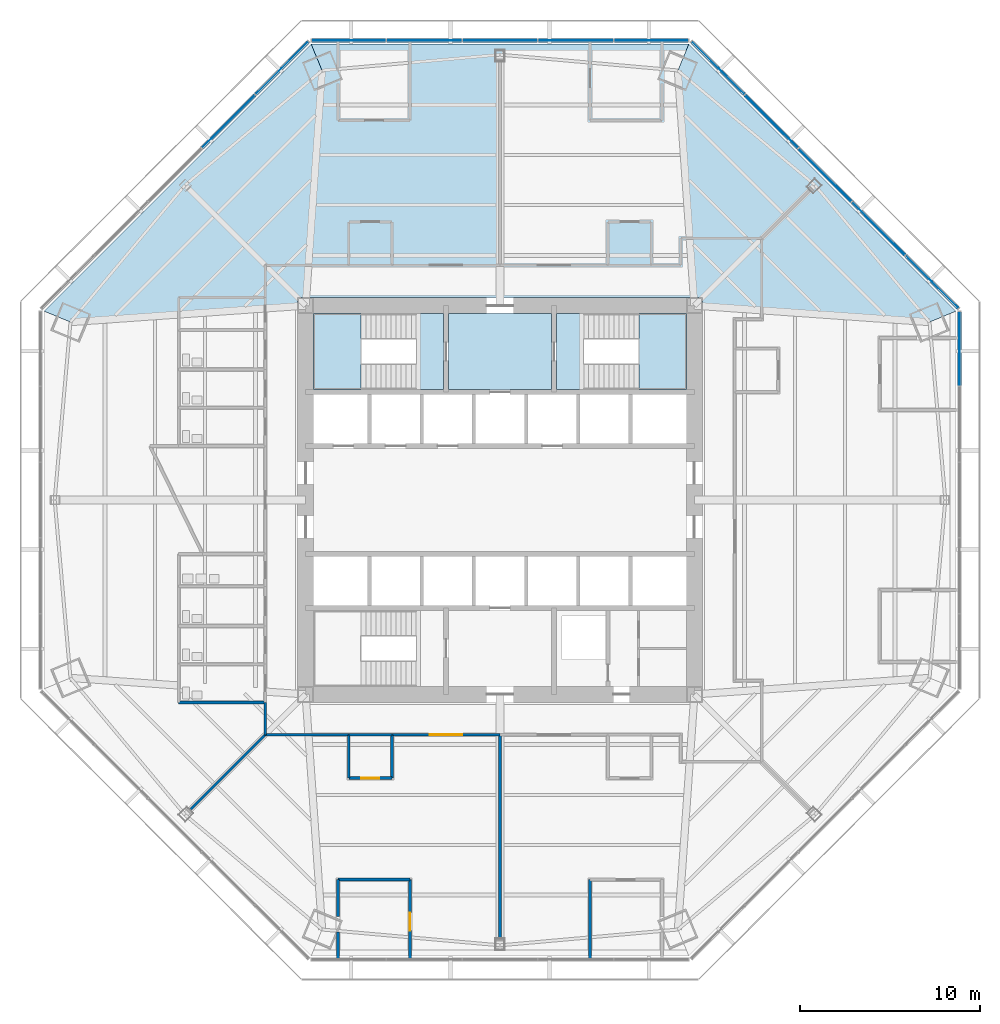
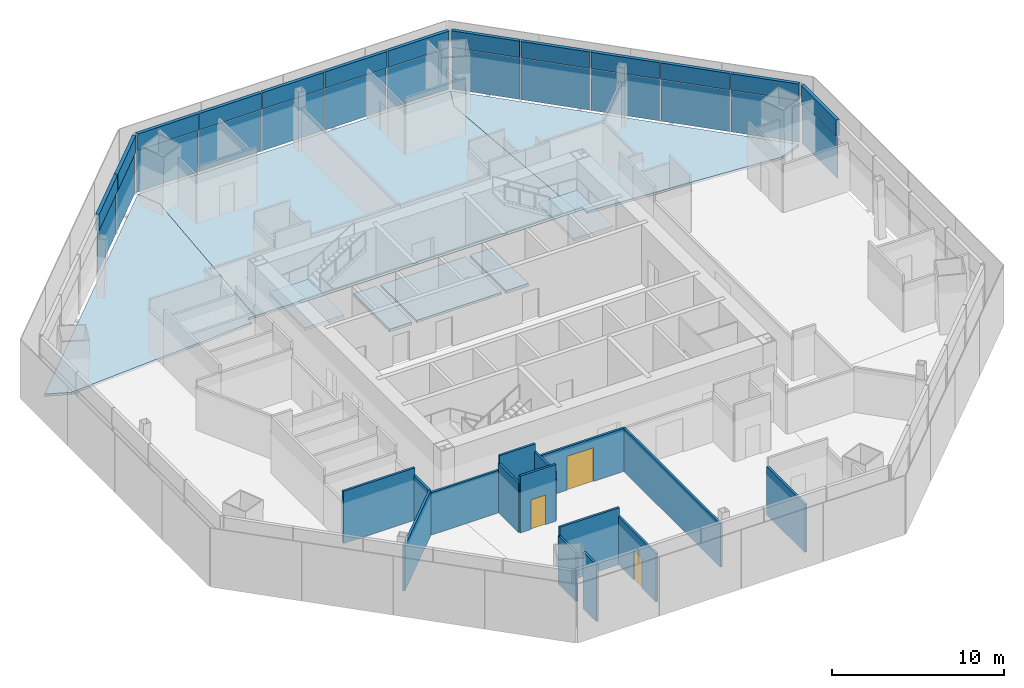
# One storey, part 9 of 17: 26 plates, 15 walls, 8 slabs, 3 doors, 3 openings, 6 elements without a shape of their own.
"""IFC4 building model written with IfcOpenShell, lengths in metres."""

from ifc_helpers import new_model, si_unit, direction, frame, frame_2d, origin, origin_2d, place, context, subcontext, project, spatial, polyline, rectangle, outline, extrude, source, transform, mapped, material, layer, layer_set, type_object, type_shapes, element, fill, aggregate, save


model = new_model("IFC4")

# Units and contexts
model_context = context("Model", 3, precision=1e-05, world=origin(), true_north=direction((0.0, 1.0)))
body_context = subcontext(model_context, "Body", "Model", "MODEL_VIEW")
ifc_project = project(units=[si_unit("LENGTHUNIT", "METRE"), si_unit("AREAUNIT", "SQUARE_METRE"), si_unit("VOLUMEUNIT", "CUBIC_METRE"), si_unit("PLANEANGLEUNIT", "RADIAN"), si_unit("MASSUNIT", "GRAM", prefix="KILO")], contexts=[model_context])

# Site, building, storey
site_placement = place(None, origin())
site = spatial("IfcSite", under=ifc_project, at=site_placement, CompositionType="ELEMENT")
building_placement = place(site_placement, origin())
building = spatial("IfcBuilding", under=site, at=building_placement, Name="Mashrafa Tower", CompositionType="ELEMENT")
storey_placement = place(building_placement, frame((0.0, 0.0, 87.60009765625)))
storey = spatial("IfcBuildingStorey", under=building, at=storey_placement, Name="L19", CompositionType="ELEMENT", Elevation=87.60009765625)

# Slabs
ifc_material_1 = material(Name="Concrete C35/45", Category="concrete")
ifc_layer_1 = layer(ifc_material_1, 0.1650390625)
ifc_layer_set_1 = layer_set([ifc_layer_1], Name="Floor slab 165")
slab_type_1 = type_object("IfcSlabType", Name="Floor slab 165", PredefinedType="FLOOR", material=ifc_layer_set_1)
slab_1_placement = place(storey_placement, frame((0.0, 0.0, -0.1650390625)))
element("IfcSlab", 1, at=slab_1_placement, inside=storey, type_object=slab_type_1, Name="Floor slab L19 north-east bay", PredefinedType="FLOOR", context=body_context, shape_type="SweptSolid", body=[
    extrude(outline(polyline([(10.494873046875, 25.336669921875), (25.336669921875, 10.494873046875), (25.336669921875, 10.494873046875), (23.863037109375, 9.884521484375), (11.25, 10.7685546875), (11.25, 11.25), (10.7685546875, 11.25), (9.884521484375, 23.863037109375), (10.494873046875, 25.336669921875), (10.494873046875, 25.336669921875)])), origin(), (0.0, 0.0, 1.0), 0.1650390625),
])
slab_2_placement = place(storey_placement, frame((0.0, 0.0, -0.1650390625)))
element("IfcSlab", 2, at=slab_2_placement, inside=storey, type_object=slab_type_1, Name="Floor slab L19 north bay", PredefinedType="FLOOR", context=body_context, shape_type="SweptSolid", body=[
    extrude(outline(polyline([(10.494873046875, 25.336669921875), (9.884521484375, 23.863037109375), (10.7685546875, 11.25), (-10.7685546875, 11.25), (-9.884521484375, 23.863037109375), (-10.494873046875, 25.336669921875), (10.494873046875, 25.336669921875)])), origin(), (0.0, 0.0, 1.0), 0.1650390625),
])
slab_3_placement = place(storey_placement, frame((0.0, 0.0, -0.1650390625)))
element("IfcSlab", 3, at=slab_3_placement, inside=storey, type_object=slab_type_1, Name="Floor slab L19 north-west bay", PredefinedType="FLOOR", context=body_context, shape_type="SweptSolid", body=[
    extrude(outline(polyline([(-25.336669921875, 10.494873046875), (-10.494873046875, 25.336669921875), (-10.494873046875, 25.336669921875), (-9.884521484375, 23.863037109375), (-10.7685546875, 11.25), (-11.25, 11.25), (-11.25, 10.7685546875), (-23.863037109375, 9.884521484375), (-25.336669921875, 10.494873046875), (-25.336669921875, 10.494873046875)])), origin(), (0.0, 0.0, 1.0), 0.1650390625),
])
slab_4_placement = place(storey_placement, frame((0.0, 0.0, -0.1650390625)))
element("IfcSlab", 4, at=slab_4_placement, inside=storey, type_object=slab_type_1, Name="Core floor fire-fighting lobby north L19", PredefinedType="FLOOR", context=body_context, shape_type="SweptSolid", body=[
    extrude(outline(polyline([(-2.85009765625, 10.35009765625), (2.85009765625, 10.35009765625), (2.85009765625, 6.14990234375), (-2.85009765625, 6.14990234375), (-2.85009765625, 10.35009765625)])), origin(), (0.0, 0.0, 1.0), 0.1650390625),
])

# Stair, slabs
ifc_material_2 = material(Name="Exit stair 1400")
stair_type = type_object("IfcStairType", Name="Exit stair 1400", PredefinedType="HALF_TURN_STAIR", material=ifc_material_2)
stair_1_placement = place(storey_placement, origin())
stair_1 = element("IfcStair", 5, at=stair_1_placement, inside=storey, type_object=stair_type, Name="Stair S1 L19", PredefinedType="HALF_TURN_STAIR")
ifc_material_3 = material(Name="Concrete C32/40", Category="concrete")
ifc_layer_2 = layer(ifc_material_3, 0.199951171875)
ifc_layer_set_2 = layer_set([ifc_layer_2], Name="Stair landing 200")
slab_type_2 = type_object("IfcSlabType", Name="Stair landing 200", PredefinedType="LANDING", material=ifc_layer_set_2)
slab_5_placement = place(storey_placement, frame((0.0, 0.0, -0.2001953125)))
slab_5 = element("IfcSlab", 6, at=slab_5_placement, type_object=slab_type_2, Name="S1 landing 1", PredefinedType="LANDING", context=body_context, shape_type="SweptSolid", body=[
    extrude(outline(polyline([(-4.659912109375, 6.14990234375), (-3.14990234375, 6.14990234375), (-3.14990234375, 10.35009765625), (-4.659912109375, 10.35009765625), (-4.659912109375, 6.14990234375)])), origin(), (0.0, 0.0, 1.0), 0.2001953125),
])
slab_6_placement = place(storey_placement, frame((0.0, 0.0, 1.89990234375)))
slab_6 = element("IfcSlab", 7, at=slab_6_placement, type_object=slab_type_2, Name="S1 landing 2", PredefinedType="LANDING", context=body_context, shape_type="SweptSolid", body=[
    extrude(outline(polyline([(-10.35009765625, 6.14990234375), (-7.719970703125, 6.14990234375), (-7.719970703125, 10.35009765625), (-10.35009765625, 10.35009765625), (-10.35009765625, 6.14990234375)])), origin(), (0.0, 0.0, 1.0), 0.199951171875),
])
aggregate(stair_1, [slab_5, slab_6])

stair_2_placement = place(storey_placement, origin())
stair_2 = element("IfcStair", 8, at=stair_2_placement, inside=storey, type_object=stair_type, Name="Stair S2 L19", PredefinedType="HALF_TURN_STAIR")
slab_7_placement = place(storey_placement, frame((0.0, 0.0, -0.2001953125)))
slab_7 = element("IfcSlab", 9, at=slab_7_placement, type_object=slab_type_2, Name="S2 landing 1", PredefinedType="LANDING", context=body_context, shape_type="SweptSolid", body=[
    extrude(outline(polyline([(3.14990234375, 6.14990234375), (4.659912109375, 6.14990234375), (4.659912109375, 10.35009765625), (3.14990234375, 10.35009765625), (3.14990234375, 6.14990234375)])), origin(), (0.0, 0.0, 1.0), 0.2001953125),
])
slab_8_placement = place(storey_placement, frame((0.0, 0.0, 1.89990234375)))
slab_8 = element("IfcSlab", 10, at=slab_8_placement, type_object=slab_type_2, Name="S2 landing 2", PredefinedType="LANDING", context=body_context, shape_type="SweptSolid", body=[
    extrude(outline(polyline([(7.719970703125, 6.14990234375), (10.35009765625, 6.14990234375), (10.35009765625, 10.35009765625), (7.719970703125, 10.35009765625), (7.719970703125, 6.14990234375)])), origin(), (0.0, 0.0, 1.0), 0.199951171875),
])
aggregate(stair_2, [slab_7, slab_8])

# Curtain wall, plate
ifc_material_4 = material(Name="Unitised aluminium curtain wall", Category="aluminium")
curtain_wall_type = type_object("IfcCurtainWallType", Name="Office curtain wall, zone 1 CW-A 200 deep", PredefinedType="NOTDEFINED", material=ifc_material_4)
curtain_wall_1_placement = place(storey_placement, origin())
curtain_wall_1 = element("IfcCurtainWall", 11, at=curtain_wall_1_placement, inside=storey, type_object=curtain_wall_type, Name="Office curtain wall, zone 1 L19 east", PredefinedType="NOTDEFINED")
ifc_material_5 = material(Name="Insulated double glazing, low-e, neutral", Category="glass")
ifc_layer_3 = layer(ifc_material_5, 0.028076171875)
ifc_layer_set_3 = layer_set([ifc_layer_3], Name="Vision panel CW-A 28")
plate_type_1 = type_object("IfcPlateType", Name="Vision panel CW-A 28", PredefinedType="CURTAIN_PANEL", material=ifc_layer_set_3)
shared_shape_1 = source(origin(), body_context, "Body", "SweptSolid", [
    extrude(rectangle(XDim=4.113037109375, YDim=0.028076171875, at=origin_2d()), origin(), (0.0, 0.0, 1.0), 2.9599609375),
])
plate_1_placement = place(storey_placement, frame((25.53662109375, 8.40478515625, 0.0), z_axis=(0.0, 0.0, 1.0), x_axis=(0.0, 1.0, 0.0)))
plate_1 = element("IfcPlate", 12, at=plate_1_placement, type_object=plate_type_1, Name="CW-A vision panel 5", PredefinedType="CURTAIN_PANEL", context=body_context, shape_type="MappedRepresentation", body=[
    mapped(shared_shape_1, transform((0.0, 0.0, 0.0))),
])

# Curtain wall, plates
curtain_wall_2_placement = place(storey_placement, origin())
curtain_wall_2 = element("IfcCurtainWall", 13, at=curtain_wall_2_placement, inside=storey, type_object=curtain_wall_type, Name="Office curtain wall, zone 1 L19 north-east", PredefinedType="NOTDEFINED")
plate_2_placement = place(storey_placement, frame((24.000244140625, 12.114013671875, 0.0), z_axis=(0.0, 0.0, 1.0), x_axis=(-0.707106781187, 0.707106781187, 0.0)))
plate_2 = element("IfcPlate", 14, at=plate_2_placement, type_object=plate_type_1, Name="CW-A vision panel 1", PredefinedType="CURTAIN_PANEL", context=body_context, shape_type="MappedRepresentation", body=[
    mapped(shared_shape_1, transform((0.0, 0.0, 0.0))),
])
plate_3_placement = place(storey_placement, frame((12.114013671875, 24.000244140625, 0.0), z_axis=(0.0, 0.0, 1.0), x_axis=(-0.707106781187, 0.707106781187, 0.0)))
plate_3 = element("IfcPlate", 15, at=plate_3_placement, type_object=plate_type_1, Name="CW-A vision panel 5", PredefinedType="CURTAIN_PANEL", context=body_context, shape_type="MappedRepresentation", body=[
    mapped(shared_shape_1, transform((0.0, 0.0, 0.0))),
])

curtain_wall_3_placement = place(storey_placement, origin())
curtain_wall_3 = element("IfcCurtainWall", 16, at=curtain_wall_3_placement, inside=storey, type_object=curtain_wall_type, Name="Office curtain wall, zone 1 L19 north", PredefinedType="NOTDEFINED")
plate_4_placement = place(storey_placement, frame((8.40478515625, 25.53662109375, 0.0), z_axis=(0.0, 0.0, 1.0), x_axis=(-1.0, 0.0, 0.0)))
plate_4 = element("IfcPlate", 17, at=plate_4_placement, type_object=plate_type_1, Name="CW-A vision panel 1", PredefinedType="CURTAIN_PANEL", context=body_context, shape_type="MappedRepresentation", body=[
    mapped(shared_shape_1, transform((0.0, 0.0, 0.0))),
])
plate_5_placement = place(storey_placement, frame((-8.40478515625, 25.53662109375, 0.0), z_axis=(0.0, 0.0, 1.0), x_axis=(-1.0, 0.0, 0.0)))
plate_5 = element("IfcPlate", 18, at=plate_5_placement, type_object=plate_type_1, Name="CW-A vision panel 5", PredefinedType="CURTAIN_PANEL", context=body_context, shape_type="MappedRepresentation", body=[
    mapped(shared_shape_1, transform((0.0, 0.0, 0.0))),
])

# Curtain wall, plate
curtain_wall_4_placement = place(storey_placement, origin())
curtain_wall_4 = element("IfcCurtainWall", 19, at=curtain_wall_4_placement, inside=storey, type_object=curtain_wall_type, Name="Office curtain wall, zone 1 L19 north-west", PredefinedType="NOTDEFINED")
plate_6_placement = place(storey_placement, frame((-12.114013671875, 24.000244140625, 0.0), z_axis=(0.0, 0.0, 1.0), x_axis=(-0.707106781187, -0.707106781187, 0.0)))
plate_6 = element("IfcPlate", 20, at=plate_6_placement, type_object=plate_type_1, Name="CW-A vision panel 1", PredefinedType="CURTAIN_PANEL", context=body_context, shape_type="MappedRepresentation", body=[
    mapped(shared_shape_1, transform((0.0, 0.0, 0.0))),
])

# Plate
ifc_material_6 = material(Name="Insulated aluminium spandrel panel", Category="aluminium")
ifc_layer_4 = layer(ifc_material_6, 0.219970703125)
ifc_layer_set_4 = layer_set([ifc_layer_4], Name="Spandrel panel CW-A 220")
plate_type_2 = type_object("IfcPlateType", Name="Spandrel panel CW-A 220", PredefinedType="CURTAIN_PANEL", material=ifc_layer_set_4)
shared_shape_2 = source(origin(), body_context, "Body", "SweptSolid", [
    extrude(rectangle(XDim=4.113037109375, YDim=0.219970703125, at=origin_2d()), origin(), (0.0, 0.0, 1.0), 1.159912109375),
])
plate_7_placement = place(storey_placement, frame((25.53662109375, 8.40478515625, 3.0400390625), z_axis=(0.0, 0.0, 1.0), x_axis=(0.0, 1.0, 0.0)))
plate_7 = element("IfcPlate", 21, at=plate_7_placement, type_object=plate_type_2, Name="CW-A spandrel panel 5", PredefinedType="CURTAIN_PANEL", context=body_context, shape_type="MappedRepresentation", body=[
    mapped(shared_shape_2, transform((0.0, 0.0, 0.0))),
])

aggregate(curtain_wall_1, [plate_1, plate_7])

plate_8_placement = place(storey_placement, frame((24.000244140625, 12.114013671875, 3.0400390625), z_axis=(0.0, 0.0, 1.0), x_axis=(-0.707106781187, 0.707106781187, 0.0)))
plate_8 = element("IfcPlate", 22, at=plate_8_placement, type_object=plate_type_2, Name="CW-A spandrel panel 1", PredefinedType="CURTAIN_PANEL", context=body_context, shape_type="MappedRepresentation", body=[
    mapped(shared_shape_2, transform((0.0, 0.0, 0.0))),
])

plate_9_placement = place(storey_placement, frame((12.114013671875, 24.000244140625, 3.0400390625), z_axis=(0.0, 0.0, 1.0), x_axis=(-0.707106781187, 0.707106781187, 0.0)))
plate_9 = element("IfcPlate", 23, at=plate_9_placement, type_object=plate_type_2, Name="CW-A spandrel panel 5", PredefinedType="CURTAIN_PANEL", context=body_context, shape_type="MappedRepresentation", body=[
    mapped(shared_shape_2, transform((0.0, 0.0, 0.0))),
])

plate_10_placement = place(storey_placement, frame((8.40478515625, 25.53662109375, 3.0400390625), z_axis=(0.0, 0.0, 1.0), x_axis=(-1.0, 0.0, 0.0)))
plate_10 = element("IfcPlate", 24, at=plate_10_placement, type_object=plate_type_2, Name="CW-A spandrel panel 1", PredefinedType="CURTAIN_PANEL", context=body_context, shape_type="MappedRepresentation", body=[
    mapped(shared_shape_2, transform((0.0, 0.0, 0.0))),
])

plate_11_placement = place(storey_placement, frame((-8.40478515625, 25.53662109375, 3.0400390625), z_axis=(0.0, 0.0, 1.0), x_axis=(-1.0, 0.0, 0.0)))
plate_11 = element("IfcPlate", 25, at=plate_11_placement, type_object=plate_type_2, Name="CW-A spandrel panel 5", PredefinedType="CURTAIN_PANEL", context=body_context, shape_type="MappedRepresentation", body=[
    mapped(shared_shape_2, transform((0.0, 0.0, 0.0))),
])

plate_12_placement = place(storey_placement, frame((-12.114013671875, 24.000244140625, 3.0400390625), z_axis=(0.0, 0.0, 1.0), x_axis=(-0.707106781187, -0.707106781187, 0.0)))
plate_12 = element("IfcPlate", 26, at=plate_12_placement, type_object=plate_type_2, Name="CW-A spandrel panel 1", PredefinedType="CURTAIN_PANEL", context=body_context, shape_type="MappedRepresentation", body=[
    mapped(shared_shape_2, transform((0.0, 0.0, 0.0))),
])

shared_shape_3 = source(origin(), body_context, "Body", "SweptSolid", [
    extrude(rectangle(XDim=4.1455078125, YDim=0.028076171875, at=origin_2d()), origin(), (0.0, 0.0, 1.0), 2.9599609375),
])
type_shapes(plate_type_1, [shared_shape_1, shared_shape_3])
plate_13_placement = place(storey_placement, frame((21.034423828125, 15.079833984375, 0.0), z_axis=(0.0, 0.0, 1.0), x_axis=(-0.707106781187, 0.707106781187, 0.0)))
plate_13 = element("IfcPlate", 27, at=plate_13_placement, type_object=plate_type_1, Name="CW-A vision panel 2", PredefinedType="CURTAIN_PANEL", context=body_context, shape_type="MappedRepresentation", body=[
    mapped(shared_shape_3, transform((0.0, 0.0, 0.0))),
])

plate_14_placement = place(storey_placement, frame((18.05712890625, 18.05712890625, 0.0), z_axis=(0.0, 0.0, 1.0), x_axis=(-0.707106781187, 0.707106781187, 0.0)))
plate_14 = element("IfcPlate", 28, at=plate_14_placement, type_object=plate_type_1, Name="CW-A vision panel 3", PredefinedType="CURTAIN_PANEL", context=body_context, shape_type="MappedRepresentation", body=[
    mapped(shared_shape_3, transform((0.0, 0.0, 0.0))),
])

plate_15_placement = place(storey_placement, frame((15.079833984375, 21.034423828125, 0.0), z_axis=(0.0, 0.0, 1.0), x_axis=(-0.707106781187, 0.707106781187, 0.0)))
plate_15 = element("IfcPlate", 29, at=plate_15_placement, type_object=plate_type_1, Name="CW-A vision panel 4", PredefinedType="CURTAIN_PANEL", context=body_context, shape_type="MappedRepresentation", body=[
    mapped(shared_shape_3, transform((0.0, 0.0, 0.0))),
])

plate_16_placement = place(storey_placement, frame((4.21044921875, 25.53662109375, 0.0), z_axis=(0.0, 0.0, 1.0), x_axis=(-1.0, 0.0, 0.0)))
plate_16 = element("IfcPlate", 30, at=plate_16_placement, type_object=plate_type_1, Name="CW-A vision panel 2", PredefinedType="CURTAIN_PANEL", context=body_context, shape_type="MappedRepresentation", body=[
    mapped(shared_shape_3, transform((0.0, 0.0, 0.0))),
])

plate_17_placement = place(storey_placement, frame((0.0, 25.53662109375, 0.0), z_axis=(0.0, 0.0, 1.0), x_axis=(-1.0, 0.0, 0.0)))
plate_17 = element("IfcPlate", 31, at=plate_17_placement, type_object=plate_type_1, Name="CW-A vision panel 3", PredefinedType="CURTAIN_PANEL", context=body_context, shape_type="MappedRepresentation", body=[
    mapped(shared_shape_3, transform((0.0, 0.0, 0.0))),
])

plate_18_placement = place(storey_placement, frame((-4.21044921875, 25.53662109375, 0.0), z_axis=(0.0, 0.0, 1.0), x_axis=(-1.0, 0.0, 0.0)))
plate_18 = element("IfcPlate", 32, at=plate_18_placement, type_object=plate_type_1, Name="CW-A vision panel 4", PredefinedType="CURTAIN_PANEL", context=body_context, shape_type="MappedRepresentation", body=[
    mapped(shared_shape_3, transform((0.0, 0.0, 0.0))),
])

plate_19_placement = place(storey_placement, frame((-15.079833984375, 21.034423828125, 0.0), z_axis=(0.0, 0.0, 1.0), x_axis=(-0.707106781187, -0.707106781187, 0.0)))
plate_19 = element("IfcPlate", 33, at=plate_19_placement, type_object=plate_type_1, Name="CW-A vision panel 2", PredefinedType="CURTAIN_PANEL", context=body_context, shape_type="MappedRepresentation", body=[
    mapped(shared_shape_3, transform((0.0, 0.0, 0.0))),
])

shared_shape_4 = source(origin(), body_context, "Body", "SweptSolid", [
    extrude(rectangle(XDim=4.1455078125, YDim=0.219970703125, at=origin_2d()), origin(), (0.0, 0.0, 1.0), 1.159912109375),
])
type_shapes(plate_type_2, [shared_shape_2, shared_shape_4])
plate_20_placement = place(storey_placement, frame((21.034423828125, 15.079833984375, 3.0400390625), z_axis=(0.0, 0.0, 1.0), x_axis=(-0.707106781187, 0.707106781187, 0.0)))
plate_20 = element("IfcPlate", 34, at=plate_20_placement, type_object=plate_type_2, Name="CW-A spandrel panel 2", PredefinedType="CURTAIN_PANEL", context=body_context, shape_type="MappedRepresentation", body=[
    mapped(shared_shape_4, transform((0.0, 0.0, 0.0))),
])

plate_21_placement = place(storey_placement, frame((18.05712890625, 18.05712890625, 3.0400390625), z_axis=(0.0, 0.0, 1.0), x_axis=(-0.707106781187, 0.707106781187, 0.0)))
plate_21 = element("IfcPlate", 35, at=plate_21_placement, type_object=plate_type_2, Name="CW-A spandrel panel 3", PredefinedType="CURTAIN_PANEL", context=body_context, shape_type="MappedRepresentation", body=[
    mapped(shared_shape_4, transform((0.0, 0.0, 0.0))),
])

plate_22_placement = place(storey_placement, frame((15.079833984375, 21.034423828125, 3.0400390625), z_axis=(0.0, 0.0, 1.0), x_axis=(-0.707106781187, 0.707106781187, 0.0)))
plate_22 = element("IfcPlate", 36, at=plate_22_placement, type_object=plate_type_2, Name="CW-A spandrel panel 4", PredefinedType="CURTAIN_PANEL", context=body_context, shape_type="MappedRepresentation", body=[
    mapped(shared_shape_4, transform((0.0, 0.0, 0.0))),
])

aggregate(curtain_wall_2, [plate_2, plate_8, plate_13, plate_20, plate_14, plate_21, plate_15, plate_22, plate_3, plate_9])

plate_23_placement = place(storey_placement, frame((4.21044921875, 25.53662109375, 3.0400390625), z_axis=(0.0, 0.0, 1.0), x_axis=(-1.0, 0.0, 0.0)))
plate_23 = element("IfcPlate", 37, at=plate_23_placement, type_object=plate_type_2, Name="CW-A spandrel panel 2", PredefinedType="CURTAIN_PANEL", context=body_context, shape_type="MappedRepresentation", body=[
    mapped(shared_shape_4, transform((0.0, 0.0, 0.0))),
])

plate_24_placement = place(storey_placement, frame((0.0, 25.53662109375, 3.0400390625), z_axis=(0.0, 0.0, 1.0), x_axis=(-1.0, 0.0, 0.0)))
plate_24 = element("IfcPlate", 38, at=plate_24_placement, type_object=plate_type_2, Name="CW-A spandrel panel 3", PredefinedType="CURTAIN_PANEL", context=body_context, shape_type="MappedRepresentation", body=[
    mapped(shared_shape_4, transform((0.0, 0.0, 0.0))),
])

plate_25_placement = place(storey_placement, frame((-4.21044921875, 25.53662109375, 3.0400390625), z_axis=(0.0, 0.0, 1.0), x_axis=(-1.0, 0.0, 0.0)))
plate_25 = element("IfcPlate", 39, at=plate_25_placement, type_object=plate_type_2, Name="CW-A spandrel panel 4", PredefinedType="CURTAIN_PANEL", context=body_context, shape_type="MappedRepresentation", body=[
    mapped(shared_shape_4, transform((0.0, 0.0, 0.0))),
])

aggregate(curtain_wall_3, [plate_4, plate_10, plate_16, plate_23, plate_17, plate_24, plate_18, plate_25, plate_5, plate_11])

plate_26_placement = place(storey_placement, frame((-15.079833984375, 21.034423828125, 3.0400390625), z_axis=(0.0, 0.0, 1.0), x_axis=(-0.707106781187, -0.707106781187, 0.0)))
plate_26 = element("IfcPlate", 40, at=plate_26_placement, type_object=plate_type_2, Name="CW-A spandrel panel 2", PredefinedType="CURTAIN_PANEL", context=body_context, shape_type="MappedRepresentation", body=[
    mapped(shared_shape_4, transform((0.0, 0.0, 0.0))),
])

aggregate(curtain_wall_4, [plate_6, plate_12, plate_19, plate_26])

# Walls
ifc_material_7 = material(Name="Gypsum board on steel studs", Category="steel")
ifc_layer_5 = layer(ifc_material_7, 0.14990234375)
ifc_layer_set_5 = layer_set([ifc_layer_5], Name="Corridor partition 150 1 hr")
wall_type_1 = type_object("IfcWallType", Name="Corridor partition 150 1 hr", PredefinedType="PARTITIONING", material=ifc_layer_set_5)
wall_1_placement = place(storey_placement, frame((-8.40087890625, -13.050048828125, 0.0), z_axis=(0.0, 0.0, 1.0), x_axis=(1.0, 0.0, 0.0)))
element("IfcWall", 41, at=wall_1_placement, inside=storey, type_object=wall_type_1, Name="Corridor wall L19-014", PredefinedType="PARTITIONING", context=body_context, shape_type="SweptSolid", body=[
    extrude(rectangle(XDim=2.40185546875, YDim=0.14990234375, at=frame_2d((1.200927734375, 0.0))), origin(), (0.0, 0.0, 1.0), 4.034912109375),
])
wall_2_placement = place(storey_placement, frame((-13.050048828125, -11.2490234375, 0.0), z_axis=(0.0, 0.0, 1.0), x_axis=(0.0, -1.0, 0.0)))
element("IfcWall", 42, at=wall_2_placement, inside=storey, type_object=wall_type_1, Name="Corridor wall L19-019", PredefinedType="PARTITIONING", context=body_context, shape_type="SweptSolid", body=[
    extrude(rectangle(XDim=1.801025390625, YDim=0.14990234375, at=frame_2d((0.900390625, 0.0))), origin(), (0.0, 0.0, 1.0), 3.17919921875),
])
wall_3_placement = place(storey_placement, frame((-13.050048828125, -13.050048828125, 0.0), z_axis=(0.0, 0.0, 1.0), x_axis=(1.0, 0.0, 0.0)))
element("IfcWall", 43, at=wall_3_placement, inside=storey, type_object=wall_type_1, Name="Corridor wall L19-033", PredefinedType="PARTITIONING", context=body_context, shape_type="SweptSolid", body=[
    extrude(rectangle(XDim=4.651123046875, YDim=0.14990234375, at=frame_2d((2.32568359375, 0.0))), origin(), (0.0, 0.0, 1.0), 3.013916015625),
])

# Wall, opening, door
wall_4_placement = place(storey_placement, frame((-6.0009765625, -13.050048828125, 0.0), z_axis=(0.0, 0.0, 1.0), x_axis=(1.0, 0.0, 0.0)))
wall_4 = element("IfcWall", 44, at=wall_4_placement, inside=storey, type_object=wall_type_1, Name="Corridor wall L19-034", PredefinedType="PARTITIONING", context=body_context, shape_type="SweptSolid", body=[
    extrude(rectangle(XDim=6.001953125, YDim=0.14990234375, at=frame_2d((3.0009765625, 0.0))), origin(), (0.0, 0.0, 1.0), 3.064697265625),
])
opening_1_placement = place(wall_4_placement, frame((2.10107421875, 0.0, 0.0)))
opening_1 = element("IfcOpeningElement", 45, at=opening_1_placement, cuts=wall_4, Name="Opening 19.025", PredefinedType="OPENING", context=body_context, shape_type="SweptSolid", body=[
    extrude(rectangle(XDim=1.800048828125, YDim=2.39990234375, at=frame_2d((0.89990234375, 1.199951171875))), frame((0.0, 0.0849609375, 0.0), z_axis=(0.0, -1.0, 0.0), x_axis=(1.0, 0.0, 0.0)), (0.0, 0.0, 1.0), 0.169921875),
])
ifc_material_8 = material(Name="Timber door", Category="wood")
door_type_1 = type_object("IfcDoorType", Name="Door pair 1800 x 2400", OperationType="DOUBLE_DOOR_SINGLE_SWING", PredefinedType="DOOR", material=ifc_material_8)
door_1_placement = place(opening_1_placement, frame((1.800048828125, 0.0, 0.0), z_axis=(0.0, 0.0, 1.0), x_axis=(-1.0, 0.0, 0.0)))
door_1 = element("IfcDoor", 46, at=door_1_placement, inside=storey, type_object=door_type_1, Name="Office Suite 19-SW door", OperationType="DOUBLE_DOOR_SINGLE_SWING", OverallHeight=2.39990234375, OverallWidth=1.800048828125, PredefinedType="DOOR", context=body_context, shape_type="SweptSolid", body=[
    extrude(rectangle(XDim=1.800048828125, YDim=2.39990234375, at=frame_2d((0.89990234375, 1.199951171875))), frame((0.0, 0.02490234375, 0.0), z_axis=(0.0, -1.0, 0.0), x_axis=(1.0, 0.0, 0.0)), (0.0, 0.0, 1.0), 0.050048828125),
])
fill(opening_1, door_1)

# Walls
ifc_material_9 = material(Name="Gypsum board on steel studs", Category="steel")
ifc_layer_6 = layer(ifc_material_9, 0.14990234375)
ifc_layer_set_6 = layer_set([ifc_layer_6], Name="Partition 150")
wall_type_2 = type_object("IfcWallType", Name="Partition 150", PredefinedType="PARTITIONING", material=ifc_layer_set_6)
wall_5_placement = place(storey_placement, frame((-17.85009765625, -11.25, 0.0), z_axis=(0.0, 0.0, 1.0), x_axis=(1.0, 0.0, 0.0)))
element("IfcWall", 47, at=wall_5_placement, inside=storey, type_object=wall_type_2, Name="Partition wall L19-046", PredefinedType="PARTITIONING", context=body_context, shape_type="SweptSolid", body=[
    extrude(rectangle(XDim=4.800048828125, YDim=0.14990234375, at=frame_2d((2.39990234375, 0.0))), origin(), (0.0, 0.0, 1.0), 3.715087890625),
])
wall_6_placement = place(storey_placement, frame((5.0, -21.086669921875, 0.0), z_axis=(0.0, 0.0, 1.0), x_axis=(0.0, -1.0, 0.0)))
element("IfcWall", 48, at=wall_6_placement, inside=storey, type_object=wall_type_2, Name="Partition wall L19-080", PredefinedType="PARTITIONING", context=body_context, shape_type="SweptSolid", body=[
    extrude(rectangle(XDim=4.431884765625, YDim=0.14990234375, at=frame_2d((2.2158203125, 0.0))), origin(), (0.0, 0.0, 1.0), 3.4228515625),
])

# Wall, opening, door
wall_7_placement = place(storey_placement, frame((-5.0, -25.5205078125, 0.0), z_axis=(0.0, 0.0, 1.0), x_axis=(0.0, 1.0, 0.0)))
wall_7 = element("IfcWall", 49, at=wall_7_placement, inside=storey, type_object=wall_type_2, Name="Partition wall L19-084", PredefinedType="PARTITIONING", context=body_context, shape_type="SweptSolid", body=[
    extrude(rectangle(XDim=4.433837890625, YDim=0.14990234375, at=frame_2d((2.216796875, 0.0))), origin(), (0.0, 0.0, 1.0), 3.4228515625),
])
opening_2_placement = place(wall_7_placement, frame((1.59912109375, 0.0, 0.0)))
opening_2 = element("IfcOpeningElement", 50, at=opening_2_placement, cuts=wall_7, Name="Opening 19.018", PredefinedType="OPENING", context=body_context, shape_type="SweptSolid", body=[
    extrude(rectangle(XDim=1.0, YDim=2.10009765625, at=frame_2d((0.5, 1.050048828125))), frame((0.0, 0.0849609375, 0.0), z_axis=(0.0, -1.0, 0.0), x_axis=(1.0, 0.0, 0.0)), (0.0, 0.0, 1.0), 0.169921875),
])
ifc_material_10 = material(Name="Timber door", Category="wood")
door_type_2 = type_object("IfcDoorType", Name="Door 1000 x 2100", OperationType="USERDEFINED", PredefinedType="DOOR", material=ifc_material_10)
door_2_placement = place(opening_2_placement, origin())
door_2 = element("IfcDoor", 51, at=door_2_placement, inside=storey, type_object=door_type_2, Name="Manager's Office 19-SW door", OperationType="SINGLE_SWING_LEFT", OverallHeight=2.10009765625, OverallWidth=1.0, PredefinedType="DOOR", context=body_context, shape_type="SweptSolid", body=[
    extrude(rectangle(XDim=1.0, YDim=2.10009765625, at=frame_2d((0.5, 1.050048828125))), frame((0.0, 0.02490234375, 0.0), z_axis=(0.0, -1.0, 0.0), x_axis=(1.0, 0.0, 0.0)), (0.0, 0.0, 1.0), 0.050048828125),
])
fill(opening_2, door_2)

# Walls
wall_8_placement = place(storey_placement, frame((-5.0, -21.086669921875, 0.0), z_axis=(0.0, 0.0, 1.0), x_axis=(-1.0, 0.0, 0.0)))
element("IfcWall", 52, at=wall_8_placement, inside=storey, type_object=wall_type_2, Name="Partition wall L19-085", PredefinedType="PARTITIONING", context=body_context, shape_type="SweptSolid", body=[
    extrude(rectangle(XDim=4.0, YDim=0.14990234375, at=frame_2d((2.0, 0.0))), origin(), (0.0, 0.0, 1.0), 4.034912109375),
])
wall_9_placement = place(storey_placement, frame((-9.0, -21.086669921875, 0.0), z_axis=(0.0, 0.0, 1.0), x_axis=(0.0, -1.0, 0.0)))
element("IfcWall", 53, at=wall_9_placement, inside=storey, type_object=wall_type_2, Name="Partition wall L19-086", PredefinedType="PARTITIONING", context=body_context, shape_type="SweptSolid", body=[
    extrude(rectangle(XDim=2.05712890625, YDim=0.14990234375, at=frame_2d((1.028564453125, 0.0))), origin(), (0.0, 0.0, 1.0), 3.4228515625),
])
wall_10_placement = place(storey_placement, frame((-9.0, -23.998779296875, 0.0), z_axis=(0.0, 0.0, 1.0), x_axis=(0.0, -1.0, 0.0)))
element("IfcWall", 54, at=wall_10_placement, inside=storey, type_object=wall_type_2, Name="Partition wall L19-087", PredefinedType="PARTITIONING", context=body_context, shape_type="SweptSolid", body=[
    extrude(rectangle(XDim=1.519775390625, YDim=0.14990234375, at=frame_2d((0.759765625, 0.0))), origin(), (0.0, 0.0, 1.0), 4.034912109375),
])
wall_11_placement = place(storey_placement, frame((-8.39990234375, -13.050048828125, 0.0), z_axis=(0.0, 0.0, 1.0), x_axis=(0.0, -1.0, 0.0)))
element("IfcWall", 55, at=wall_11_placement, inside=storey, type_object=wall_type_2, Name="Partition wall L19-088", PredefinedType="PARTITIONING", context=body_context, shape_type="SweptSolid", body=[
    extrude(rectangle(XDim=2.39990234375, YDim=0.14990234375, at=frame_2d((1.199951171875, 0.0))), origin(), (0.0, 0.0, 1.0), 3.491455078125),
])

# Wall, opening, door
wall_12_placement = place(storey_placement, frame((-8.39990234375, -15.449951171875, 0.0), z_axis=(0.0, 0.0, 1.0), x_axis=(1.0, 0.0, 0.0)))
wall_12 = element("IfcWall", 56, at=wall_12_placement, inside=storey, type_object=wall_type_2, Name="Partition wall L19-089", PredefinedType="PARTITIONING", context=body_context, shape_type="SweptSolid", body=[
    extrude(rectangle(XDim=2.39990234375, YDim=0.14990234375, at=frame_2d((1.199951171875, 0.0))), origin(), (0.0, 0.0, 1.0), 4.034912109375),
])
opening_3_placement = place(wall_12_placement, frame((0.699951171875, 0.0, 0.0)))
opening_3 = element("IfcOpeningElement", 57, at=opening_3_placement, cuts=wall_12, Name="Opening 19.019", PredefinedType="OPENING", context=body_context, shape_type="SweptSolid", body=[
    extrude(rectangle(XDim=1.0, YDim=2.10009765625, at=frame_2d((0.5, 1.050048828125))), frame((0.0, 0.0849609375, 0.0), z_axis=(0.0, -1.0, 0.0), x_axis=(1.0, 0.0, 0.0)), (0.0, 0.0, 1.0), 0.169921875),
])
door_3_placement = place(opening_3_placement, origin())
door_3 = element("IfcDoor", 58, at=door_3_placement, inside=storey, type_object=door_type_2, Name="Kitchenette 19-SW door", OperationType="SINGLE_SWING_LEFT", OverallHeight=2.10009765625, OverallWidth=1.0, PredefinedType="DOOR", context=body_context, shape_type="SweptSolid", body=[
    extrude(rectangle(XDim=1.0, YDim=2.10009765625, at=frame_2d((0.5, 1.050048828125))), frame((0.0, 0.02490234375, 0.0), z_axis=(0.0, -1.0, 0.0), x_axis=(1.0, 0.0, 0.0)), (0.0, 0.0, 1.0), 0.050048828125),
])
fill(opening_3, door_3)

# Walls
wall_13_placement = place(storey_placement, frame((-6.0, -15.449951171875, 0.0), z_axis=(0.0, 0.0, 1.0), x_axis=(0.0, 1.0, 0.0)))
element("IfcWall", 59, at=wall_13_placement, inside=storey, type_object=wall_type_2, Name="Partition wall L19-090", PredefinedType="PARTITIONING", context=body_context, shape_type="SweptSolid", body=[
    extrude(rectangle(XDim=2.39990234375, YDim=0.14990234375, at=frame_2d((1.199951171875, 0.0))), origin(), (0.0, 0.0, 1.0), 3.491455078125),
])
wall_14_placement = place(storey_placement, frame((-17.217041015625, -17.217041015625, 0.0), z_axis=(0.0, 0.0, 1.0), x_axis=(0.707106781187, 0.707106781187, 0.0)))
element("IfcWall", 60, at=wall_14_placement, inside=storey, type_object=wall_type_2, Name="Partition wall L19-097", PredefinedType="PARTITIONING", context=body_context, shape_type="SweptSolid", body=[
    extrude(rectangle(XDim=5.89306640625, YDim=0.14990234375, at=frame_2d((2.946533203125, 0.0))), origin(), (0.0, 0.0, 1.0), 3.17919921875),
])
wall_15_placement = place(storey_placement, frame((0.0, -13.050048828125, 0.0), z_axis=(0.0, 0.0, 1.0), x_axis=(0.0, -1.0, 0.0)))
element("IfcWall", 61, at=wall_15_placement, inside=storey, type_object=wall_type_2, Name="Partition wall L19-099", PredefinedType="PARTITIONING", context=body_context, shape_type="SweptSolid", body=[
    extrude(rectangle(XDim=11.298583984375, YDim=0.14990234375, at=frame_2d((5.6494140625, 0.0))), origin(), (0.0, 0.0, 1.0), 3.064697265625),
])

save(model, "model.ifc")
